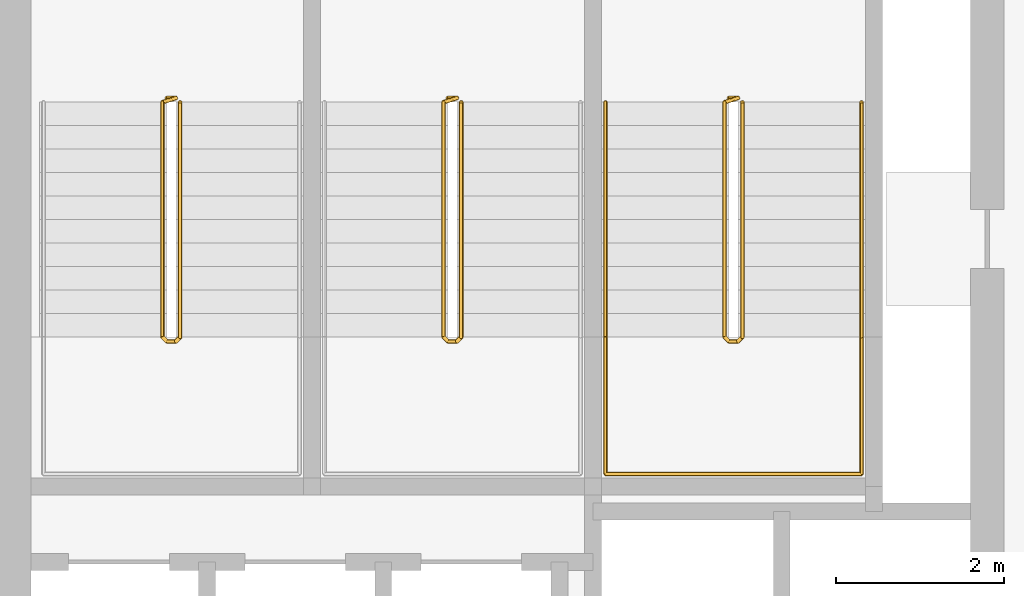
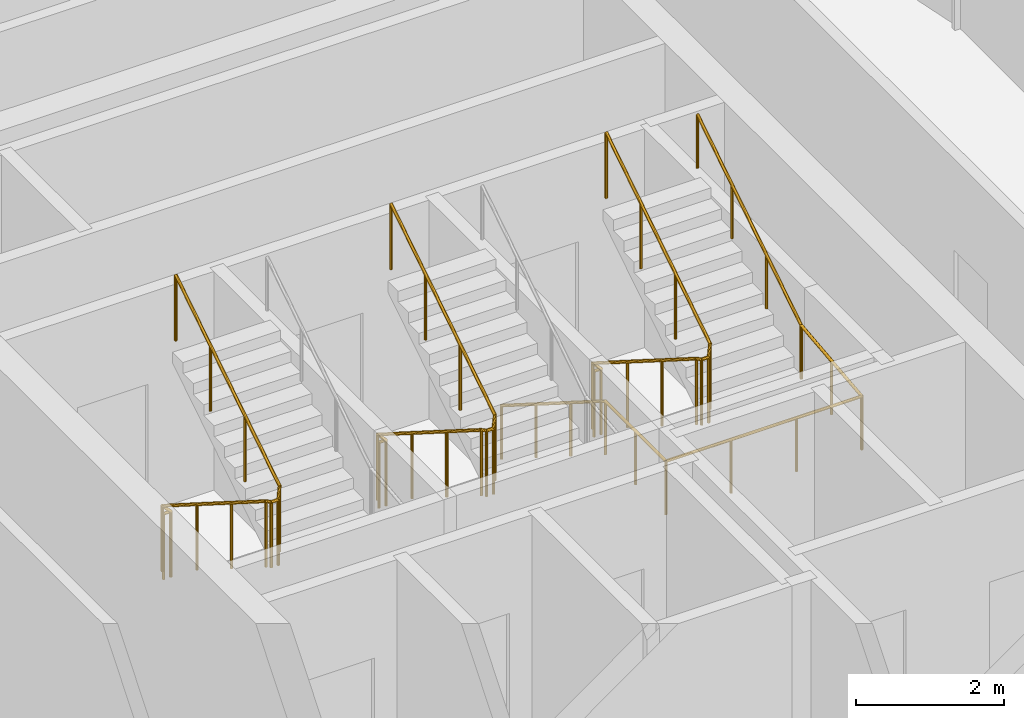
# One storey, part 11 of 11: 4 railings.
"""IFC4 building model written with IfcOpenShell, lengths in metres."""

from ifc_helpers import new_model, si_unit, direction, frame, origin, origin_2d, place, context, subcontext, project, spatial, circle, extrude, material, type_object, element, save


model = new_model("IFC4")

# Units and contexts
model_context = context("Model", 3, precision=1e-05, world=origin(), true_north=direction((0.0, 1.0)))
body_context = subcontext(model_context, "Body", "Model", "MODEL_VIEW")
ifc_project = project(units=[si_unit("LENGTHUNIT", "METRE"), si_unit("AREAUNIT", "SQUARE_METRE"), si_unit("VOLUMEUNIT", "CUBIC_METRE"), si_unit("PLANEANGLEUNIT", "RADIAN"), si_unit("MASSUNIT", "GRAM", prefix="KILO")], contexts=[model_context])

# Site, building, storey
site_placement = place(None, origin())
site = spatial("IfcSite", under=ifc_project, at=site_placement, CompositionType="ELEMENT")
building_placement = place(site_placement, origin())
building = spatial("IfcBuilding", under=site, at=building_placement, Name="Tessera Arch", CompositionType="ELEMENT")
storey_placement = place(building_placement, frame((0.0, 0.0, 203.300048828125)))
storey = spatial("IfcBuildingStorey", under=building, at=storey_placement, Name="L48", CompositionType="ELEMENT", Elevation=203.300048828125)

# Railings
ifc_material_1 = material(Name="Painted steel balustrade", Category="steel")
railing_type_1 = type_object("IfcRailingType", Name="Stair guard 1100", PredefinedType="GUARDRAIL", material=ifc_material_1)
railing_1_placement = place(storey_placement, frame((38.219970703125, 43.6298828125, 0.0)))
element("IfcRailing", 1, at=railing_1_placement, inside=storey, type_object=railing_type_1, Name="L48 S1a stair guard 1", PredefinedType="GUARDRAIL", context=body_context, shape_type="SweptSolid", body=[
    extrude(circle(Radius=0.02392578125, at=origin_2d()), frame((-0.00390625, 0.0, 1.076171875), z_axis=(1.0, 0.0, 0.0), x_axis=(0.0, 1.0, 0.0)), (0.0, 0.0, 1.0), 0.1181640625),
    extrude(circle(Radius=0.02392578125, at=origin_2d()), frame((0.11279296875, 0.000732421875, 1.0732421875), z_axis=(-0.656319048605, -0.204099216335, 0.726353093426), x_axis=(0.296948579431, -0.954893471113, 0.0)), (0.0, 0.0, 1.0), 0.251953125),
    extrude(circle(Radius=0.02392578125, at=origin_2d()), frame((-0.050048828125, -0.04638671875, 1.251220703125), z_axis=(0.0, -0.844908973607, 0.534910110503), x_axis=(1.0, 0.0, 0.0)), (0.0, 0.0, 1.0), 3.322021484375),
    extrude(circle(Radius=0.02392578125, at=origin_2d()), frame((-0.052978515625, -2.846923828125, 3.02587890625), z_axis=(0.707106781187, -0.707106781187, 0.0), x_axis=(0.707106781187, 0.707106781187, 0.0)), (0.0, 0.0, 1.0), 0.078857421875),
    extrude(circle(Radius=0.02392578125, at=origin_2d()), frame((-0.00390625, -2.89990234375, 3.02587890625), z_axis=(1.0, 0.0, 0.0), x_axis=(0.0, 1.0, 0.0)), (0.0, 0.0, 1.0), 0.1181640625),
    extrude(circle(Radius=0.02392578125, at=origin_2d()), frame((0.109130859375, -2.90087890625, 3.022216796875), z_axis=(0.261041864531, 0.262321481514, 0.929001929653), x_axis=(-0.708833529934, 0.705375805398, 0.0)), (0.0, 0.0, 1.0), 0.19873046875),
    extrude(circle(Radius=0.02392578125, at=origin_2d()), frame((0.159912109375, -2.853271484375, 3.201171875), z_axis=(0.0, 0.844908973607, 0.534910110503), x_axis=(-1.0, 0.0, 0.0)), (0.0, 0.0, 1.0), 3.322021484375),
    extrude(circle(Radius=0.02099609375, at=origin_2d()), origin(), (0.0, 0.0, 1.0), 1.06396484375),
    extrude(circle(Radius=0.02099609375, at=origin_2d()), frame((0.110107421875, 0.0, 0.0)), (0.0, 0.0, 1.0), 1.06396484375),
    extrude(circle(Radius=0.02099609375, at=origin_2d()), frame((-0.050048828125, -0.0498046875, 0.17724609375)), (0.0, 0.0, 1.0), 1.06396484375),
    extrude(circle(Radius=0.02099609375, at=origin_2d()), frame((-0.050048828125, -0.983154296875, 0.76806640625)), (0.0, 0.0, 1.0), 1.06396484375),
    extrude(circle(Radius=0.02099609375, at=origin_2d()), frame((-0.050048828125, -1.91650390625, 1.359130859375)), (0.0, 0.0, 1.0), 1.06396484375),
    extrude(circle(Radius=0.02099609375, at=origin_2d()), frame((-0.050048828125, -2.849853515625, 1.949951171875)), (0.0, 0.0, 1.0), 1.06396484375),
    extrude(circle(Radius=0.02099609375, at=origin_2d()), frame((0.0, -2.89990234375, 1.949951171875)), (0.0, 0.0, 1.0), 1.06396484375),
    extrude(circle(Radius=0.02099609375, at=origin_2d()), frame((0.110107421875, -2.89990234375, 1.949951171875)), (0.0, 0.0, 1.0), 1.06396484375),
    extrude(circle(Radius=0.02099609375, at=origin_2d()), frame((0.159912109375, -2.849853515625, 2.127197265625)), (0.0, 0.0, 1.0), 1.06396484375),
    extrude(circle(Radius=0.02099609375, at=origin_2d()), frame((0.159912109375, -1.91650390625, 2.718017578125)), (0.0, 0.0, 1.0), 1.06396484375),
    extrude(circle(Radius=0.02099609375, at=origin_2d()), frame((0.159912109375, -0.983154296875, 3.30908203125)), (0.0, 0.0, 1.0), 1.06396484375),
    extrude(circle(Radius=0.02099609375, at=origin_2d()), frame((0.159912109375, -0.0498046875, 3.89990234375)), (0.0, 0.0, 1.0), 1.06396484375),
])
railing_2_placement = place(storey_placement, frame((41.570068359375, 43.6298828125, 0.0)))
element("IfcRailing", 2, at=railing_2_placement, inside=storey, type_object=railing_type_1, Name="L48 S1b stair guard 1", PredefinedType="GUARDRAIL", context=body_context, shape_type="SweptSolid", body=[
    extrude(circle(Radius=0.02392578125, at=origin_2d()), frame((-0.00390625, 0.0, 1.076171875), z_axis=(1.0, 0.0, 0.0), x_axis=(0.0, 1.0, 0.0)), (0.0, 0.0, 1.0), 0.117919921875),
    extrude(circle(Radius=0.02392578125, at=origin_2d()), frame((0.112548828125, 0.000732421875, 1.0732421875), z_axis=(-0.65574896516, -0.204233265485, 0.726830150696), x_axis=(0.297361876254, -0.954764847777, 0.0)), (0.0, 0.0, 1.0), 0.251953125),
    extrude(circle(Radius=0.02392578125, at=origin_2d()), frame((-0.050048828125, -0.04638671875, 1.251220703125), z_axis=(0.0, -0.844908973607, 0.534910110503), x_axis=(1.0, 0.0, 0.0)), (0.0, 0.0, 1.0), 3.322021484375),
    extrude(circle(Radius=0.02392578125, at=origin_2d()), frame((-0.052978515625, -2.846923828125, 3.02587890625), z_axis=(0.707106781187, -0.707106781187, 0.0), x_axis=(0.707106781187, 0.707106781187, 0.0)), (0.0, 0.0, 1.0), 0.078857421875),
    extrude(circle(Radius=0.02392578125, at=origin_2d()), frame((-0.00390625, -2.89990234375, 3.02587890625), z_axis=(1.0, 0.0, 0.0), x_axis=(0.0, 1.0, 0.0)), (0.0, 0.0, 1.0), 0.117919921875),
    extrude(circle(Radius=0.02392578125, at=origin_2d()), frame((0.10888671875, -2.90087890625, 3.022216796875), z_axis=(0.262233686654, 0.262233686654, 0.928691007369), x_axis=(-0.707106781187, 0.707106781187, 0.0)), (0.0, 0.0, 1.0), 0.198974609375),
    extrude(circle(Radius=0.02392578125, at=origin_2d()), frame((0.159912109375, -2.853271484375, 3.201171875), z_axis=(0.0, 0.844908973607, 0.534910110503), x_axis=(-1.0, 0.0, 0.0)), (0.0, 0.0, 1.0), 3.322021484375),
    extrude(circle(Radius=0.02099609375, at=origin_2d()), origin(), (0.0, 0.0, 1.0), 1.06396484375),
    extrude(circle(Radius=0.02099609375, at=origin_2d()), frame((0.10986328125, 0.0, 0.0)), (0.0, 0.0, 1.0), 1.06396484375),
    extrude(circle(Radius=0.02099609375, at=origin_2d()), frame((-0.050048828125, -0.0498046875, 0.17724609375)), (0.0, 0.0, 1.0), 1.06396484375),
    extrude(circle(Radius=0.02099609375, at=origin_2d()), frame((-0.050048828125, -0.983154296875, 0.76806640625)), (0.0, 0.0, 1.0), 1.06396484375),
    extrude(circle(Radius=0.02099609375, at=origin_2d()), frame((-0.050048828125, -1.91650390625, 1.359130859375)), (0.0, 0.0, 1.0), 1.06396484375),
    extrude(circle(Radius=0.02099609375, at=origin_2d()), frame((-0.050048828125, -2.849853515625, 1.949951171875)), (0.0, 0.0, 1.0), 1.06396484375),
    extrude(circle(Radius=0.02099609375, at=origin_2d()), frame((0.0, -2.89990234375, 1.949951171875)), (0.0, 0.0, 1.0), 1.06396484375),
    extrude(circle(Radius=0.02099609375, at=origin_2d()), frame((0.10986328125, -2.89990234375, 1.949951171875)), (0.0, 0.0, 1.0), 1.06396484375),
    extrude(circle(Radius=0.02099609375, at=origin_2d()), frame((0.159912109375, -2.849853515625, 2.127197265625)), (0.0, 0.0, 1.0), 1.06396484375),
    extrude(circle(Radius=0.02099609375, at=origin_2d()), frame((0.159912109375, -1.91650390625, 2.718017578125)), (0.0, 0.0, 1.0), 1.06396484375),
    extrude(circle(Radius=0.02099609375, at=origin_2d()), frame((0.159912109375, -0.983154296875, 3.30908203125)), (0.0, 0.0, 1.0), 1.06396484375),
    extrude(circle(Radius=0.02099609375, at=origin_2d()), frame((0.159912109375, -0.0498046875, 3.89990234375)), (0.0, 0.0, 1.0), 1.06396484375),
])
railing_3_placement = place(storey_placement, frame((44.919921875, 43.6298828125, 0.0)))
element("IfcRailing", 3, at=railing_3_placement, inside=storey, type_object=railing_type_1, Name="L48 S1c stair guard 1", PredefinedType="GUARDRAIL", context=body_context, shape_type="SweptSolid", body=[
    extrude(circle(Radius=0.02392578125, at=origin_2d()), frame((-0.00390625, 0.0, 1.076171875), z_axis=(1.0, 0.0, 0.0), x_axis=(0.0, 1.0, 0.0)), (0.0, 0.0, 1.0), 0.1181640625),
    extrude(circle(Radius=0.02392578125, at=origin_2d()), frame((0.11279296875, 0.000732421875, 1.0732421875), z_axis=(-0.65574896516, -0.204233265485, 0.726830150696), x_axis=(0.297361876254, -0.954764847777, 0.0)), (0.0, 0.0, 1.0), 0.251953125),
    extrude(circle(Radius=0.02392578125, at=origin_2d()), frame((-0.0498046875, -0.04638671875, 1.251220703125), z_axis=(0.0, -0.844908973607, 0.534910110503), x_axis=(1.0, 0.0, 0.0)), (0.0, 0.0, 1.0), 3.322021484375),
    extrude(circle(Radius=0.02392578125, at=origin_2d()), frame((-0.052734375, -2.846923828125, 3.02587890625), z_axis=(0.705375805398, -0.708833529934, 0.0), x_axis=(0.708833529934, 0.705375805398, 0.0)), (0.0, 0.0, 1.0), 0.07861328125),
    extrude(circle(Radius=0.02392578125, at=origin_2d()), frame((-0.00390625, -2.89990234375, 3.02587890625), z_axis=(1.0, 0.0, 0.0), x_axis=(0.0, 1.0, 0.0)), (0.0, 0.0, 1.0), 0.1181640625),
    extrude(circle(Radius=0.02392578125, at=origin_2d()), frame((0.109130859375, -2.90087890625, 3.022216796875), z_axis=(0.262233686654, 0.262233686654, 0.928691007369), x_axis=(-0.707106781187, 0.707106781187, 0.0)), (0.0, 0.0, 1.0), 0.198974609375),
    extrude(circle(Radius=0.02392578125, at=origin_2d()), frame((0.16015625, -2.853271484375, 3.201171875), z_axis=(0.0, 0.844908973607, 0.534910110503), x_axis=(-1.0, 0.0, 0.0)), (0.0, 0.0, 1.0), 3.322021484375),
    extrude(circle(Radius=0.02099609375, at=origin_2d()), origin(), (0.0, 0.0, 1.0), 1.06396484375),
    extrude(circle(Radius=0.02099609375, at=origin_2d()), frame((0.110107421875, 0.0, 0.0)), (0.0, 0.0, 1.0), 1.06396484375),
    extrude(circle(Radius=0.02099609375, at=origin_2d()), frame((-0.0498046875, -0.0498046875, 0.17724609375)), (0.0, 0.0, 1.0), 1.06396484375),
    extrude(circle(Radius=0.02099609375, at=origin_2d()), frame((-0.0498046875, -0.983154296875, 0.76806640625)), (0.0, 0.0, 1.0), 1.06396484375),
    extrude(circle(Radius=0.02099609375, at=origin_2d()), frame((-0.0498046875, -1.91650390625, 1.359130859375)), (0.0, 0.0, 1.0), 1.06396484375),
    extrude(circle(Radius=0.02099609375, at=origin_2d()), frame((-0.0498046875, -2.849853515625, 1.949951171875)), (0.0, 0.0, 1.0), 1.06396484375),
    extrude(circle(Radius=0.02099609375, at=origin_2d()), frame((0.0, -2.89990234375, 1.949951171875)), (0.0, 0.0, 1.0), 1.06396484375),
    extrude(circle(Radius=0.02099609375, at=origin_2d()), frame((0.110107421875, -2.89990234375, 1.949951171875)), (0.0, 0.0, 1.0), 1.06396484375),
    extrude(circle(Radius=0.02099609375, at=origin_2d()), frame((0.16015625, -2.849853515625, 2.127197265625)), (0.0, 0.0, 1.0), 1.06396484375),
    extrude(circle(Radius=0.02099609375, at=origin_2d()), frame((0.16015625, -1.91650390625, 2.718017578125)), (0.0, 0.0, 1.0), 1.06396484375),
    extrude(circle(Radius=0.02099609375, at=origin_2d()), frame((0.16015625, -0.983154296875, 3.30908203125)), (0.0, 0.0, 1.0), 1.06396484375),
    extrude(circle(Radius=0.02099609375, at=origin_2d()), frame((0.16015625, -0.0498046875, 3.89990234375)), (0.0, 0.0, 1.0), 1.06396484375),
])
ifc_material_2 = material(Name="Painted steel handrail", Category="steel")
railing_type_2 = type_object("IfcRailingType", Name="Stair handrail 900", PredefinedType="HANDRAIL", material=ifc_material_2)
railing_4_placement = place(storey_placement, frame((43.449951171875, 43.580078125, 0.17724609375)))
element("IfcRailing", 4, at=railing_4_placement, inside=storey, type_object=railing_type_2, Name="L48 S1c stair handrail", PredefinedType="HANDRAIL", context=body_context, shape_type="SweptSolid", body=[
    extrude(circle(Radius=0.02392578125, at=origin_2d()), frame((0.0, 0.00341796875, 0.873779296875), z_axis=(0.0, -0.844908973607, 0.534910110503), x_axis=(1.0, 0.0, 0.0)), (0.0, 0.0, 1.0), 3.322021484375),
    extrude(circle(Radius=0.02392578125, at=origin_2d()), frame((0.0, -2.796142578125, 2.6484375), z_axis=(0.0, -1.0, 0.0), x_axis=(1.0, 0.0, 0.0)), (0.0, 0.0, 1.0), 1.63818359375),
    extrude(circle(Radius=0.02392578125, at=origin_2d()), frame((-0.00390625, -4.43017578125, 2.6484375), z_axis=(1.0, 0.0, 0.0), x_axis=(0.0, 1.0, 0.0)), (0.0, 0.0, 1.0), 3.05810546875),
    extrude(circle(Radius=0.02392578125, at=origin_2d()), frame((3.050048828125, -4.43408203125, 2.648193359375), z_axis=(0.0, 0.994140637614, 0.108094369164), x_axis=(-1.0, 0.0, 0.0)), (0.0, 0.0, 1.0), 1.647705078125),
    extrude(circle(Radius=0.02392578125, at=origin_2d()), frame((3.050048828125, -2.803466796875, 2.82373046875), z_axis=(0.0, 0.844908973607, 0.534910110503), x_axis=(-1.0, 0.0, 0.0)), (0.0, 0.0, 1.0), 3.322021484375),
    extrude(circle(Radius=0.02099609375, at=origin_2d()), origin(), (0.0, 0.0, 1.0), 0.86376953125),
    extrude(circle(Radius=0.02099609375, at=origin_2d()), frame((0.0, -0.933349609375, 0.5908203125)), (0.0, 0.0, 1.0), 0.86376953125),
    extrude(circle(Radius=0.02099609375, at=origin_2d()), frame((0.0, -1.86669921875, 1.181884765625)), (0.0, 0.0, 1.0), 0.86376953125),
    extrude(circle(Radius=0.02099609375, at=origin_2d()), frame((0.0, -2.800048828125, 1.772705078125)), (0.0, 0.0, 1.0), 0.86376953125),
    extrude(circle(Radius=0.02099609375, at=origin_2d()), frame((0.0, -3.615234375, 1.772705078125)), (0.0, 0.0, 1.0), 0.86376953125),
    extrude(circle(Radius=0.02099609375, at=origin_2d()), frame((0.0, -4.43017578125, 1.772705078125)), (0.0, 0.0, 1.0), 0.86376953125),
    extrude(circle(Radius=0.02099609375, at=origin_2d()), frame((1.0166015625, -4.43017578125, 1.772705078125)), (0.0, 0.0, 1.0), 0.86376953125),
    extrude(circle(Radius=0.02099609375, at=origin_2d()), frame((2.033447265625, -4.43017578125, 1.772705078125)), (0.0, 0.0, 1.0), 0.86376953125),
    extrude(circle(Radius=0.02099609375, at=origin_2d()), frame((3.050048828125, -4.43017578125, 1.772705078125)), (0.0, 0.0, 1.0), 0.86376953125),
    extrude(circle(Radius=0.02099609375, at=origin_2d()), frame((3.050048828125, -3.615234375, 1.861328125)), (0.0, 0.0, 1.0), 0.86376953125),
    extrude(circle(Radius=0.02099609375, at=origin_2d()), frame((3.050048828125, -2.800048828125, 1.949951171875)), (0.0, 0.0, 1.0), 0.86376953125),
    extrude(circle(Radius=0.02099609375, at=origin_2d()), frame((3.050048828125, -1.86669921875, 2.540771484375)), (0.0, 0.0, 1.0), 0.86376953125),
    extrude(circle(Radius=0.02099609375, at=origin_2d()), frame((3.050048828125, -0.933349609375, 3.1318359375)), (0.0, 0.0, 1.0), 0.86376953125),
    extrude(circle(Radius=0.02099609375, at=origin_2d()), frame((3.050048828125, 0.0, 3.72265625)), (0.0, 0.0, 1.0), 0.86376953125),
])

save(model, "model.ifc")
